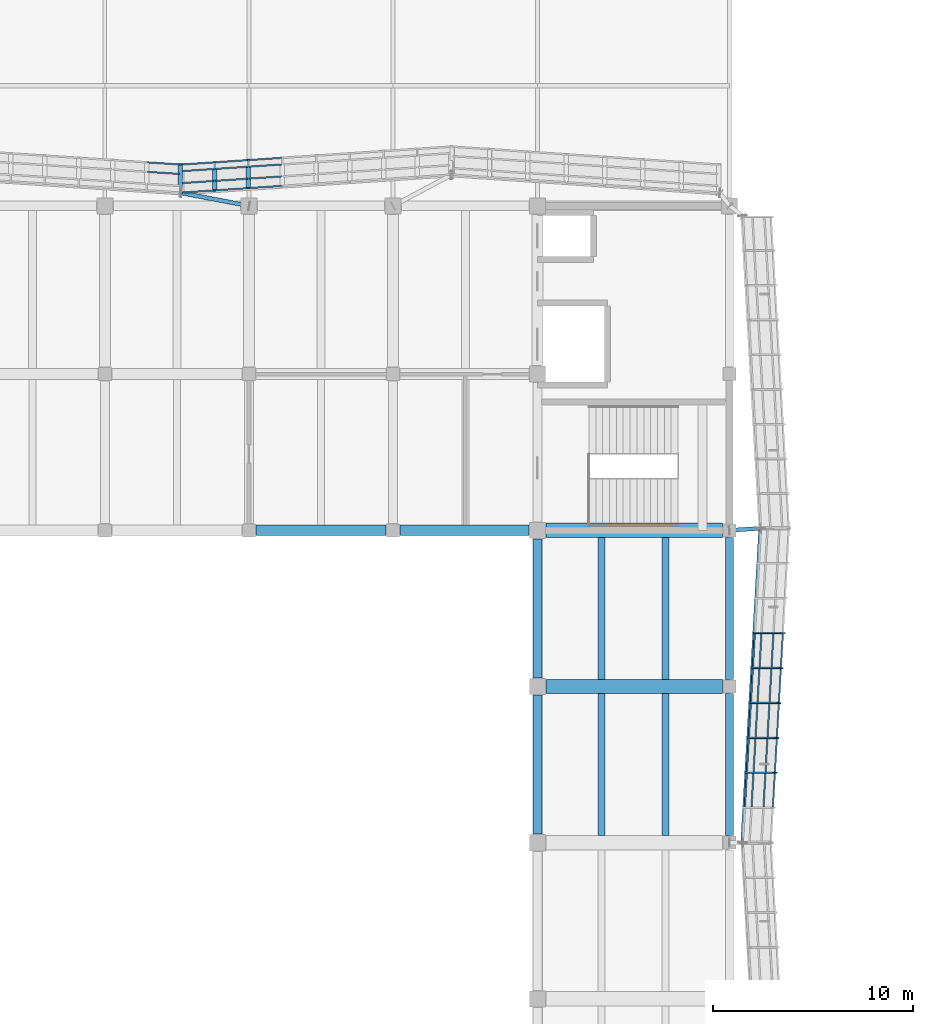
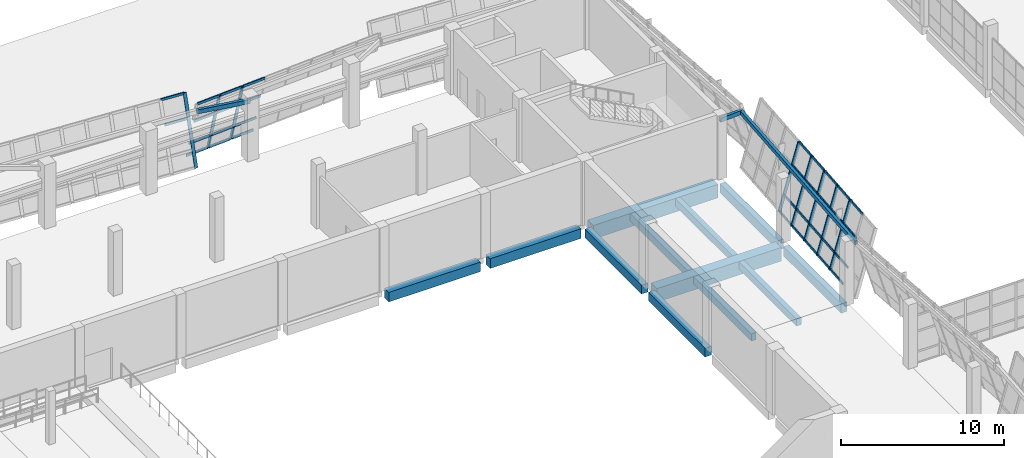
# One storey, part 28 of 79: 42 members, 15 beams, 3 elements without a shape of their own.
"""IFC4 building model written with IfcOpenShell, lengths in metres."""

from ifc_helpers import new_model, si_unit, direction, frame, origin, origin_2d, place, context, subcontext, project, spatial, rectangle, hollow_rectangle, extrude, material, material_profile, profile_set, type_object, element, aggregate, save


model = new_model("IFC4")

# Units and contexts
model_context = context("Model", 3, precision=1e-05, world=origin(), true_north=direction((0.0, 1.0)))
body_context = subcontext(model_context, "Body", "Model", "MODEL_VIEW")
ifc_project = project(units=[si_unit("LENGTHUNIT", "METRE"), si_unit("AREAUNIT", "SQUARE_METRE"), si_unit("VOLUMEUNIT", "CUBIC_METRE"), si_unit("PLANEANGLEUNIT", "RADIAN"), si_unit("MASSUNIT", "GRAM", prefix="KILO")], contexts=[model_context])

# Site, building, storey
site_placement = place(None, origin())
site = spatial("IfcSite", under=ifc_project, at=site_placement, CompositionType="ELEMENT")
building_placement = place(site_placement, origin())
building = spatial("IfcBuilding", under=site, at=building_placement, Name="Pellamere Symphony Hall", CompositionType="ELEMENT")
storey_placement = place(building_placement, frame((0.0, 0.0, 10.199951171875)))
storey = spatial("IfcBuildingStorey", under=building, at=storey_placement, Name="L02", CompositionType="ELEMENT", Elevation=10.199951171875)

# Curtain wall, members
ifc_material_1 = material(Name="Thermally Broken Anodised Aluminium 6063-T6 Curtain Wall", Category="aluminium")
curtain_wall_type = type_object("IfcCurtainWallType", Name="Curtain Wall CW-01 (Tilted Faceted Crystal Low-Iron Curtain Wall)", PredefinedType="NOTDEFINED", material=ifc_material_1)
curtain_wall_1_placement = place(storey_placement, origin())
curtain_wall_1 = element("IfcCurtainWall", 1, at=curtain_wall_1_placement, inside=storey, type_object=curtain_wall_type, Name="Crystal Faceted Curtain Wall CW-CR08 (L02)", PredefinedType="NOTDEFINED")
ifc_material_2 = material(Name="Anodised Architectural Aluminium 6063-T6", Category="aluminium")
ifc_material_profile_1 = material_profile(ifc_material_2, hollow_rectangle(XDim=0.074951171875, YDim=0.219970703125, WallThickness=0.0048828125, at=origin_2d()), Name="ALU-M75X220X5")
ifc_profile_set_1 = profile_set([ifc_material_profile_1], Name="Anodised Architectural Aluminium 6063-T6")
member_type_1 = type_object("IfcMemberType", Name="Curtain Wall Mullion ML-01 ALU-M75X220X5", PredefinedType="MULLION", material=ifc_profile_set_1)
member_1_placement = place(storey_placement, frame((119.64990234375, 65.288818359375, 0.0), z_axis=(0.284021911736, 0.0, 0.9588177896), x_axis=(-0.054873989333, -0.99836096977, 0.016254824977)))
member_1 = element("IfcMember", 2, at=member_1_placement, type_object=member_type_1, Name="CW1-014 crystal mullion 3", PredefinedType="MULLION", context=body_context, shape_type="SweptSolid", body=[
    extrude(hollow_rectangle(XDim=0.074951171875, YDim=0.219970703125, WallThickness=0.0048828125, at=origin_2d()), origin(), (0.0, 0.0, 1.0), 5.006103515625),
])
member_2_placement = place(storey_placement, frame((119.75, 67.033447265625, 0.0), z_axis=(0.284021911736, 0.0, 0.9588177896), x_axis=(-0.054873989333, -0.99836096977, 0.016254824977)))
member_2 = element("IfcMember", 3, at=member_2_placement, type_object=member_type_1, Name="CW1-014 crystal mullion 4", PredefinedType="MULLION", context=body_context, shape_type="SweptSolid", body=[
    extrude(hollow_rectangle(XDim=0.074951171875, YDim=0.219970703125, WallThickness=0.0048828125, at=origin_2d()), origin(), (0.0, 0.0, 1.0), 5.006103515625),
])
member_3_placement = place(storey_placement, frame((119.85009765625, 68.77783203125, 0.0), z_axis=(0.283977077304, 0.0, 0.958831069358), x_axis=(-0.054874749346, -0.99836096977, 0.016252259063)))
member_3 = element("IfcMember", 4, at=member_3_placement, type_object=member_type_1, Name="CW1-014 crystal mullion 5", PredefinedType="MULLION", context=body_context, shape_type="SweptSolid", body=[
    extrude(hollow_rectangle(XDim=0.074951171875, YDim=0.219970703125, WallThickness=0.0048828125, at=origin_2d()), origin(), (0.0, 0.0, 1.0), 5.006103515625),
])
member_4_placement = place(storey_placement, frame((119.949951171875, 70.522216796875, 0.0), z_axis=(0.284021911736, 0.0, 0.9588177896), x_axis=(-0.054873989333, -0.99836096977, 0.016254824977)))
member_4 = element("IfcMember", 5, at=member_4_placement, type_object=member_type_1, Name="CW1-014 crystal mullion 6", PredefinedType="MULLION", context=body_context, shape_type="SweptSolid", body=[
    extrude(hollow_rectangle(XDim=0.074951171875, YDim=0.219970703125, WallThickness=0.0048828125, at=origin_2d()), origin(), (0.0, 0.0, 1.0), 5.006103515625),
])
member_5_placement = place(storey_placement, frame((120.050048828125, 72.2666015625, 0.0), z_axis=(0.283977077304, 0.0, 0.958831069358), x_axis=(-0.054874749346, -0.99836096977, 0.016252259063)))
member_5 = element("IfcMember", 6, at=member_5_placement, type_object=member_type_1, Name="CW1-014 crystal mullion 7", PredefinedType="MULLION", context=body_context, shape_type="SweptSolid", body=[
    extrude(hollow_rectangle(XDim=0.074951171875, YDim=0.219970703125, WallThickness=0.0048828125, at=origin_2d()), origin(), (0.0, 0.0, 1.0), 5.006103515625),
])

curtain_wall_2_placement = place(storey_placement, origin())
curtain_wall_2 = element("IfcCurtainWall", 7, at=curtain_wall_2_placement, inside=storey, type_object=curtain_wall_type, Name="Crystal Faceted Curtain Wall CW-CR11 (L02)", PredefinedType="NOTDEFINED")
member_6_placement = place(storey_placement, frame((94.77490234375, 95.896728515625, 0.0), z_axis=(0.0, -0.283977077304, 0.958831069358), x_axis=(0.066519010519, -0.956707409897, -0.283348112905)))
member_6 = element("IfcMember", 8, at=member_6_placement, type_object=member_type_1, Name="CW1-025 crystal mullion 7", PredefinedType="MULLION", context=body_context, shape_type="SweptSolid", body=[
    extrude(hollow_rectangle(XDim=0.074951171875, YDim=0.219970703125, WallThickness=0.0048828125, at=origin_2d()), origin(), (0.0, 0.0, 1.0), 5.006103515625),
])
member_7_placement = place(storey_placement, frame((93.08740234375, 95.7841796875, 0.0), z_axis=(0.0, -0.283977077304, 0.958831069358), x_axis=(0.066519010519, -0.956707409897, -0.283348112905)))
member_7 = element("IfcMember", 9, at=member_7_placement, type_object=member_type_1, Name="CW1-025 crystal mullion 8", PredefinedType="MULLION", context=body_context, shape_type="SweptSolid", body=[
    extrude(hollow_rectangle(XDim=0.074951171875, YDim=0.219970703125, WallThickness=0.0048828125, at=origin_2d()), origin(), (0.0, 0.0, 1.0), 5.006103515625),
])

# Curtain wall, member
curtain_wall_3_placement = place(storey_placement, origin())
curtain_wall_3 = element("IfcCurtainWall", 10, at=curtain_wall_3_placement, inside=storey, type_object=curtain_wall_type, Name="Crystal Faceted Curtain Wall CW-CR12 (L02)", PredefinedType="NOTDEFINED")
member_8_placement = place(storey_placement, frame((91.362548828125, 94.25244140625, 0.0), z_axis=(0.0, 0.284021911736, 0.9588177896), x_axis=(0.066032040643, 0.956725172802, -0.28340203481)))
member_8 = element("IfcMember", 11, at=member_8_placement, type_object=member_type_1, Name="CW1-028 crystal mullion 1", PredefinedType="MULLION", context=body_context, shape_type="SweptSolid", body=[
    extrude(hollow_rectangle(XDim=0.074951171875, YDim=0.219970703125, WallThickness=0.0048828125, at=origin_2d()), origin(), (0.0, 0.0, 1.0), 5.006103515625),
])

# Member
ifc_material_profile_2 = material_profile(ifc_material_2, hollow_rectangle(XDim=0.074951171875, YDim=0.179931640625, WallThickness=0.0048828125, at=origin_2d()), Name="ALU-T75X180X5")
ifc_profile_set_2 = profile_set([ifc_material_profile_2], Name="Anodised Architectural Aluminium 6063-T6")
member_type_2 = type_object("IfcMemberType", Name="Curtain Wall Transom TR-01 ALU-T75X180X5", PredefinedType="USERDEFINED", material=ifc_profile_set_2)
member_9_placement = place(storey_placement, frame((119.562744140625, 63.581787109375, 0.035888671875), z_axis=(0.057224396245, 0.998361341637, 0.0), x_axis=(-0.998361341637, 0.057224396245, 0.0)))
member_9 = element("IfcMember", 12, at=member_9_placement, type_object=member_type_2, Name="CW1-014 crystal transom 2.1", ObjectType="TRANSOM", PredefinedType="USERDEFINED", context=body_context, shape_type="SweptSolid", body=[
    extrude(hollow_rectangle(XDim=0.074951171875, YDim=0.179931640625, WallThickness=0.0048828125, at=origin_2d()), origin(), (0.0, 0.0, 1.0), 1.67236328125),
])

member_10_placement = place(storey_placement, frame((119.893310546875, 63.581787109375, 1.152099609375), z_axis=(0.057224396245, 0.998361341637, 0.0), x_axis=(-0.998361341637, 0.057224396245, 0.0)))
member_10 = element("IfcMember", 13, at=member_10_placement, type_object=member_type_2, Name="CW1-014 crystal transom 2.2", ObjectType="TRANSOM", PredefinedType="USERDEFINED", context=body_context, shape_type="SweptSolid", body=[
    extrude(hollow_rectangle(XDim=0.074951171875, YDim=0.179931640625, WallThickness=0.0048828125, at=origin_2d()), origin(), (0.0, 0.0, 1.0), 1.67236328125),
])

member_11_placement = place(storey_placement, frame((120.490478515625, 63.581787109375, 3.16796875), z_axis=(0.057224396245, 0.998361341637, 0.0), x_axis=(-0.998361341637, 0.057224396245, 0.0)))
member_11 = element("IfcMember", 14, at=member_11_placement, type_object=member_type_2, Name="CW1-014 crystal transom 2.3", ObjectType="TRANSOM", PredefinedType="USERDEFINED", context=body_context, shape_type="SweptSolid", body=[
    extrude(hollow_rectangle(XDim=0.074951171875, YDim=0.179931640625, WallThickness=0.0048828125, at=origin_2d()), origin(), (0.0, 0.0, 1.0), 1.67236328125),
])

member_12_placement = place(storey_placement, frame((120.96337890625, 63.581787109375, 4.76416015625), z_axis=(0.057224396245, 0.998361341637, 0.0), x_axis=(-0.998361341637, 0.057224396245, 0.0)))
member_12 = element("IfcMember", 15, at=member_12_placement, type_object=member_type_2, Name="CW1-014 crystal transom 2.4", ObjectType="TRANSOM", PredefinedType="USERDEFINED", context=body_context, shape_type="SweptSolid", body=[
    extrude(hollow_rectangle(XDim=0.074951171875, YDim=0.179931640625, WallThickness=0.0048828125, at=origin_2d()), origin(), (0.0, 0.0, 1.0), 1.67236328125),
])

member_13_placement = place(storey_placement, frame((119.662841796875, 65.326416015625, 0.035888671875), z_axis=(0.057232737422, 0.998360863499, 0.0), x_axis=(-0.998360863499, 0.057232737422, 0.0)))
member_13 = element("IfcMember", 16, at=member_13_placement, type_object=member_type_2, Name="CW1-014 crystal transom 3.1", ObjectType="TRANSOM", PredefinedType="USERDEFINED", context=body_context, shape_type="SweptSolid", body=[
    extrude(hollow_rectangle(XDim=0.074951171875, YDim=0.179931640625, WallThickness=0.0048828125, at=origin_2d()), origin(), (0.0, 0.0, 1.0), 1.672119140625),
])

member_14_placement = place(storey_placement, frame((119.993408203125, 65.326416015625, 1.152099609375), z_axis=(0.057232737422, 0.998360863499, 0.0), x_axis=(-0.998360863499, 0.057232737422, 0.0)))
member_14 = element("IfcMember", 17, at=member_14_placement, type_object=member_type_2, Name="CW1-014 crystal transom 3.2", ObjectType="TRANSOM", PredefinedType="USERDEFINED", context=body_context, shape_type="SweptSolid", body=[
    extrude(hollow_rectangle(XDim=0.074951171875, YDim=0.179931640625, WallThickness=0.0048828125, at=origin_2d()), origin(), (0.0, 0.0, 1.0), 1.672119140625),
])

member_15_placement = place(storey_placement, frame((120.590576171875, 65.326416015625, 3.16796875), z_axis=(0.057232737422, 0.998360863499, 0.0), x_axis=(-0.998360863499, 0.057232737422, 0.0)))
member_15 = element("IfcMember", 18, at=member_15_placement, type_object=member_type_2, Name="CW1-014 crystal transom 3.3", ObjectType="TRANSOM", PredefinedType="USERDEFINED", context=body_context, shape_type="SweptSolid", body=[
    extrude(hollow_rectangle(XDim=0.074951171875, YDim=0.179931640625, WallThickness=0.0048828125, at=origin_2d()), origin(), (0.0, 0.0, 1.0), 1.672119140625),
])

member_16_placement = place(storey_placement, frame((121.063232421875, 65.326416015625, 4.76416015625), z_axis=(0.057232737422, 0.998360863499, 0.0), x_axis=(-0.998360863499, 0.057232737422, 0.0)))
member_16 = element("IfcMember", 19, at=member_16_placement, type_object=member_type_2, Name="CW1-014 crystal transom 3.4", ObjectType="TRANSOM", PredefinedType="USERDEFINED", context=body_context, shape_type="SweptSolid", body=[
    extrude(hollow_rectangle(XDim=0.074951171875, YDim=0.179931640625, WallThickness=0.0048828125, at=origin_2d()), origin(), (0.0, 0.0, 1.0), 1.672119140625),
])

member_17_placement = place(storey_placement, frame((119.7626953125, 67.07080078125, 0.035888671875), z_axis=(0.057232737422, 0.998360863499, 0.0), x_axis=(-0.998360863499, 0.057232737422, 0.0)))
member_17 = element("IfcMember", 20, at=member_17_placement, type_object=member_type_2, Name="CW1-014 crystal transom 4.1", ObjectType="TRANSOM", PredefinedType="USERDEFINED", context=body_context, shape_type="SweptSolid", body=[
    extrude(hollow_rectangle(XDim=0.074951171875, YDim=0.179931640625, WallThickness=0.0048828125, at=origin_2d()), origin(), (0.0, 0.0, 1.0), 1.672119140625),
])

member_18_placement = place(storey_placement, frame((120.09326171875, 67.07080078125, 1.152099609375), z_axis=(0.057232737422, 0.998360863499, 0.0), x_axis=(-0.998360863499, 0.057232737422, 0.0)))
member_18 = element("IfcMember", 21, at=member_18_placement, type_object=member_type_2, Name="CW1-014 crystal transom 4.2", ObjectType="TRANSOM", PredefinedType="USERDEFINED", context=body_context, shape_type="SweptSolid", body=[
    extrude(hollow_rectangle(XDim=0.074951171875, YDim=0.179931640625, WallThickness=0.0048828125, at=origin_2d()), origin(), (0.0, 0.0, 1.0), 1.672119140625),
])

member_19_placement = place(storey_placement, frame((120.6904296875, 67.07080078125, 3.16796875), z_axis=(0.057232737422, 0.998360863499, 0.0), x_axis=(-0.998360863499, 0.057232737422, 0.0)))
member_19 = element("IfcMember", 22, at=member_19_placement, type_object=member_type_2, Name="CW1-014 crystal transom 4.3", ObjectType="TRANSOM", PredefinedType="USERDEFINED", context=body_context, shape_type="SweptSolid", body=[
    extrude(hollow_rectangle(XDim=0.074951171875, YDim=0.179931640625, WallThickness=0.0048828125, at=origin_2d()), origin(), (0.0, 0.0, 1.0), 1.672119140625),
])

member_20_placement = place(storey_placement, frame((121.163330078125, 67.07080078125, 4.76416015625), z_axis=(0.057232737422, 0.998360863499, 0.0), x_axis=(-0.998360863499, 0.057232737422, 0.0)))
member_20 = element("IfcMember", 23, at=member_20_placement, type_object=member_type_2, Name="CW1-014 crystal transom 4.4", ObjectType="TRANSOM", PredefinedType="USERDEFINED", context=body_context, shape_type="SweptSolid", body=[
    extrude(hollow_rectangle(XDim=0.074951171875, YDim=0.179931640625, WallThickness=0.0048828125, at=origin_2d()), origin(), (0.0, 0.0, 1.0), 1.672119140625),
])

member_21_placement = place(storey_placement, frame((119.86279296875, 68.815185546875, 0.035888671875), z_axis=(0.057224396245, 0.998361341637, 0.0), x_axis=(-0.998361341637, 0.057224396245, 0.0)))
member_21 = element("IfcMember", 24, at=member_21_placement, type_object=member_type_2, Name="CW1-014 crystal transom 5.1", ObjectType="TRANSOM", PredefinedType="USERDEFINED", context=body_context, shape_type="SweptSolid", body=[
    extrude(hollow_rectangle(XDim=0.074951171875, YDim=0.179931640625, WallThickness=0.0048828125, at=origin_2d()), origin(), (0.0, 0.0, 1.0), 1.67236328125),
])

member_22_placement = place(storey_placement, frame((120.193359375, 68.815185546875, 1.152099609375), z_axis=(0.057224396245, 0.998361341637, 0.0), x_axis=(-0.998361341637, 0.057224396245, 0.0)))
member_22 = element("IfcMember", 25, at=member_22_placement, type_object=member_type_2, Name="CW1-014 crystal transom 5.2", ObjectType="TRANSOM", PredefinedType="USERDEFINED", context=body_context, shape_type="SweptSolid", body=[
    extrude(hollow_rectangle(XDim=0.074951171875, YDim=0.179931640625, WallThickness=0.0048828125, at=origin_2d()), origin(), (0.0, 0.0, 1.0), 1.67236328125),
])

member_23_placement = place(storey_placement, frame((120.79052734375, 68.815185546875, 3.16796875), z_axis=(0.057224396245, 0.998361341637, 0.0), x_axis=(-0.998361341637, 0.057224396245, 0.0)))
member_23 = element("IfcMember", 26, at=member_23_placement, type_object=member_type_2, Name="CW1-014 crystal transom 5.3", ObjectType="TRANSOM", PredefinedType="USERDEFINED", context=body_context, shape_type="SweptSolid", body=[
    extrude(hollow_rectangle(XDim=0.074951171875, YDim=0.179931640625, WallThickness=0.0048828125, at=origin_2d()), origin(), (0.0, 0.0, 1.0), 1.67236328125),
])

member_24_placement = place(storey_placement, frame((121.26318359375, 68.815185546875, 4.76416015625), z_axis=(0.057224396245, 0.998361341637, 0.0), x_axis=(-0.998361341637, 0.057224396245, 0.0)))
member_24 = element("IfcMember", 27, at=member_24_placement, type_object=member_type_2, Name="CW1-014 crystal transom 5.4", ObjectType="TRANSOM", PredefinedType="USERDEFINED", context=body_context, shape_type="SweptSolid", body=[
    extrude(hollow_rectangle(XDim=0.074951171875, YDim=0.179931640625, WallThickness=0.0048828125, at=origin_2d()), origin(), (0.0, 0.0, 1.0), 1.67236328125),
])

member_25_placement = place(storey_placement, frame((119.962890625, 70.5595703125, 0.035888671875), z_axis=(0.057224396245, 0.998361341637, 0.0), x_axis=(-0.998361341637, 0.057224396245, 0.0)))
member_25 = element("IfcMember", 28, at=member_25_placement, type_object=member_type_2, Name="CW1-014 crystal transom 6.1", ObjectType="TRANSOM", PredefinedType="USERDEFINED", context=body_context, shape_type="SweptSolid", body=[
    extrude(hollow_rectangle(XDim=0.074951171875, YDim=0.179931640625, WallThickness=0.0048828125, at=origin_2d()), origin(), (0.0, 0.0, 1.0), 1.67236328125),
])

member_26_placement = place(storey_placement, frame((120.29345703125, 70.5595703125, 1.152099609375), z_axis=(0.057224396245, 0.998361341637, 0.0), x_axis=(-0.998361341637, 0.057224396245, 0.0)))
member_26 = element("IfcMember", 29, at=member_26_placement, type_object=member_type_2, Name="CW1-014 crystal transom 6.2", ObjectType="TRANSOM", PredefinedType="USERDEFINED", context=body_context, shape_type="SweptSolid", body=[
    extrude(hollow_rectangle(XDim=0.074951171875, YDim=0.179931640625, WallThickness=0.0048828125, at=origin_2d()), origin(), (0.0, 0.0, 1.0), 1.67236328125),
])

member_27_placement = place(storey_placement, frame((120.890625, 70.5595703125, 3.16796875), z_axis=(0.057224396245, 0.998361341637, 0.0), x_axis=(-0.998361341637, 0.057224396245, 0.0)))
member_27 = element("IfcMember", 30, at=member_27_placement, type_object=member_type_2, Name="CW1-014 crystal transom 6.3", ObjectType="TRANSOM", PredefinedType="USERDEFINED", context=body_context, shape_type="SweptSolid", body=[
    extrude(hollow_rectangle(XDim=0.074951171875, YDim=0.179931640625, WallThickness=0.0048828125, at=origin_2d()), origin(), (0.0, 0.0, 1.0), 1.67236328125),
])

member_28_placement = place(storey_placement, frame((121.36328125, 70.5595703125, 4.76416015625), z_axis=(0.057224396245, 0.998361341637, 0.0), x_axis=(-0.998361341637, 0.057224396245, 0.0)))
member_28 = element("IfcMember", 31, at=member_28_placement, type_object=member_type_2, Name="CW1-014 crystal transom 6.4", ObjectType="TRANSOM", PredefinedType="USERDEFINED", context=body_context, shape_type="SweptSolid", body=[
    extrude(hollow_rectangle(XDim=0.074951171875, YDim=0.179931640625, WallThickness=0.0048828125, at=origin_2d()), origin(), (0.0, 0.0, 1.0), 1.67236328125),
])

aggregate(curtain_wall_1, [member_1, member_2, member_3, member_4, member_5, member_9, member_10, member_11, member_12, member_13, member_14, member_15, member_16, member_17, member_18, member_19, member_20, member_21, member_22, member_23, member_24, member_25, member_26, member_27, member_28])

member_29_placement = place(storey_placement, frame((96.425048828125, 95.99609375, 0.035888671875), z_axis=(-0.997788498757, -0.06646887804, 0.0), x_axis=(0.06646887804, -0.997788498757, 0.0)))
member_29 = element("IfcMember", 32, at=member_29_placement, type_object=member_type_2, Name="CW1-025 crystal transom 6.1", ObjectType="TRANSOM", PredefinedType="USERDEFINED", context=body_context, shape_type="SweptSolid", body=[
    extrude(hollow_rectangle(XDim=0.074951171875, YDim=0.179931640625, WallThickness=0.0048828125, at=origin_2d()), origin(), (0.0, 0.0, 1.0), 1.6162109375),
])

member_30_placement = place(storey_placement, frame((96.425048828125, 95.66552734375, 1.152099609375), z_axis=(-0.997788498757, -0.06646887804, 0.0), x_axis=(0.06646887804, -0.997788498757, 0.0)))
member_30 = element("IfcMember", 33, at=member_30_placement, type_object=member_type_2, Name="CW1-025 crystal transom 6.2", ObjectType="TRANSOM", PredefinedType="USERDEFINED", context=body_context, shape_type="SweptSolid", body=[
    extrude(hollow_rectangle(XDim=0.074951171875, YDim=0.179931640625, WallThickness=0.0048828125, at=origin_2d()), origin(), (0.0, 0.0, 1.0), 1.6162109375),
])

member_31_placement = place(storey_placement, frame((96.425048828125, 95.068359375, 3.16796875), z_axis=(-0.997788498757, -0.06646887804, 0.0), x_axis=(0.06646887804, -0.997788498757, 0.0)))
member_31 = element("IfcMember", 34, at=member_31_placement, type_object=member_type_2, Name="CW1-025 crystal transom 6.3", ObjectType="TRANSOM", PredefinedType="USERDEFINED", context=body_context, shape_type="SweptSolid", body=[
    extrude(hollow_rectangle(XDim=0.074951171875, YDim=0.179931640625, WallThickness=0.0048828125, at=origin_2d()), origin(), (0.0, 0.0, 1.0), 1.6162109375),
])

member_32_placement = place(storey_placement, frame((96.425048828125, 94.595703125, 4.76416015625), z_axis=(-0.997778468566, -0.06661927398, 0.0), x_axis=(0.06661927398, -0.997778468566, 0.0)))
member_32 = element("IfcMember", 35, at=member_32_placement, type_object=member_type_2, Name="CW1-025 crystal transom 6.4", ObjectType="TRANSOM", PredefinedType="USERDEFINED", context=body_context, shape_type="SweptSolid", body=[
    extrude(hollow_rectangle(XDim=0.074951171875, YDim=0.179931640625, WallThickness=0.0048828125, at=origin_2d()), origin(), (0.0, 0.0, 1.0), 1.6162109375),
])

member_33_placement = place(storey_placement, frame((94.737548828125, 95.883544921875, 0.035888671875), z_axis=(-0.997788498757, -0.06646887804, 0.0), x_axis=(0.06646887804, -0.997788498757, 0.0)))
member_33 = element("IfcMember", 36, at=member_33_placement, type_object=member_type_2, Name="CW1-025 crystal transom 7.1", ObjectType="TRANSOM", PredefinedType="USERDEFINED", context=body_context, shape_type="SweptSolid", body=[
    extrude(hollow_rectangle(XDim=0.074951171875, YDim=0.179931640625, WallThickness=0.0048828125, at=origin_2d()), origin(), (0.0, 0.0, 1.0), 1.6162109375),
])

member_34_placement = place(storey_placement, frame((94.737548828125, 95.552978515625, 1.152099609375), z_axis=(-0.997788498757, -0.06646887804, 0.0), x_axis=(0.06646887804, -0.997788498757, 0.0)))
member_34 = element("IfcMember", 37, at=member_34_placement, type_object=member_type_2, Name="CW1-025 crystal transom 7.2", ObjectType="TRANSOM", PredefinedType="USERDEFINED", context=body_context, shape_type="SweptSolid", body=[
    extrude(hollow_rectangle(XDim=0.074951171875, YDim=0.179931640625, WallThickness=0.0048828125, at=origin_2d()), origin(), (0.0, 0.0, 1.0), 1.6162109375),
])

member_35_placement = place(storey_placement, frame((94.737548828125, 94.955810546875, 3.16796875), z_axis=(-0.997788498757, -0.06646887804, 0.0), x_axis=(0.06646887804, -0.997788498757, 0.0)))
member_35 = element("IfcMember", 38, at=member_35_placement, type_object=member_type_2, Name="CW1-025 crystal transom 7.3", ObjectType="TRANSOM", PredefinedType="USERDEFINED", context=body_context, shape_type="SweptSolid", body=[
    extrude(hollow_rectangle(XDim=0.074951171875, YDim=0.179931640625, WallThickness=0.0048828125, at=origin_2d()), origin(), (0.0, 0.0, 1.0), 1.6162109375),
])

member_36_placement = place(storey_placement, frame((94.737548828125, 94.483154296875, 4.76416015625), z_axis=(-0.997788498757, -0.06646887804, 0.0), x_axis=(0.06646887804, -0.997788498757, 0.0)))
member_36 = element("IfcMember", 39, at=member_36_placement, type_object=member_type_2, Name="CW1-025 crystal transom 7.4", ObjectType="TRANSOM", PredefinedType="USERDEFINED", context=body_context, shape_type="SweptSolid", body=[
    extrude(hollow_rectangle(XDim=0.074951171875, YDim=0.179931640625, WallThickness=0.0048828125, at=origin_2d()), origin(), (0.0, 0.0, 1.0), 1.6162109375),
])

member_37_placement = place(storey_placement, frame((93.050048828125, 95.771240234375, 0.035888671875), z_axis=(-0.997786526209, -0.066498482063, 0.0), x_axis=(0.066498482063, -0.997786526209, 0.0)))
member_37 = element("IfcMember", 40, at=member_37_placement, type_object=member_type_2, Name="CW1-025 crystal transom 8.1", ObjectType="TRANSOM", PredefinedType="USERDEFINED", context=body_context, shape_type="SweptSolid", body=[
    extrude(hollow_rectangle(XDim=0.074951171875, YDim=0.179931640625, WallThickness=0.0048828125, at=origin_2d()), origin(), (0.0, 0.0, 1.0), 1.57861328125),
])

member_38_placement = place(storey_placement, frame((93.050048828125, 95.440673828125, 1.152099609375), z_axis=(-0.997776253366, -0.06665244346, 0.0), x_axis=(0.06665244346, -0.997776253366, 0.0)))
member_38 = element("IfcMember", 41, at=member_38_placement, type_object=member_type_2, Name="CW1-025 crystal transom 8.2", ObjectType="TRANSOM", PredefinedType="USERDEFINED", context=body_context, shape_type="SweptSolid", body=[
    extrude(hollow_rectangle(XDim=0.074951171875, YDim=0.179931640625, WallThickness=0.0048828125, at=origin_2d()), origin(), (0.0, 0.0, 1.0), 1.57861328125),
])

member_39_placement = place(storey_placement, frame((93.050048828125, 94.843505859375, 3.16796875), z_axis=(-0.997776253366, -0.06665244346, 0.0), x_axis=(0.06665244346, -0.997776253366, 0.0)))
member_39 = element("IfcMember", 42, at=member_39_placement, type_object=member_type_2, Name="CW1-025 crystal transom 8.3", ObjectType="TRANSOM", PredefinedType="USERDEFINED", context=body_context, shape_type="SweptSolid", body=[
    extrude(hollow_rectangle(XDim=0.074951171875, YDim=0.179931640625, WallThickness=0.0048828125, at=origin_2d()), origin(), (0.0, 0.0, 1.0), 1.57861328125),
])

member_40_placement = place(storey_placement, frame((93.050048828125, 94.37060546875, 4.76416015625), z_axis=(-0.997786526209, -0.066498482063, 0.0), x_axis=(0.066498482063, -0.997786526209, 0.0)))
member_40 = element("IfcMember", 43, at=member_40_placement, type_object=member_type_2, Name="CW1-025 crystal transom 8.4", ObjectType="TRANSOM", PredefinedType="USERDEFINED", context=body_context, shape_type="SweptSolid", body=[
    extrude(hollow_rectangle(XDim=0.074951171875, YDim=0.179931640625, WallThickness=0.0048828125, at=origin_2d()), origin(), (0.0, 0.0, 1.0), 1.57861328125),
])

aggregate(curtain_wall_2, [member_6, member_7, member_29, member_30, member_31, member_32, member_33, member_34, member_35, member_36, member_37, member_38, member_39, member_40])

member_41_placement = place(storey_placement, frame((91.3251953125, 95.193359375, 3.16796875), z_axis=(-0.997821663418, 0.065969144414, 0.0), x_axis=(-0.065969144414, -0.997821663418, 0.0)))
member_41 = element("IfcMember", 44, at=member_41_placement, type_object=member_type_2, Name="CW1-028 crystal transom 1.3", ObjectType="TRANSOM", PredefinedType="USERDEFINED", context=body_context, shape_type="SweptSolid", body=[
    extrude(hollow_rectangle(XDim=0.074951171875, YDim=0.179931640625, WallThickness=0.0048828125, at=origin_2d()), origin(), (0.0, 0.0, 1.0), 1.59130859375),
])

member_42_placement = place(storey_placement, frame((91.3251953125, 95.666015625, 4.76416015625), z_axis=(-0.997811553112, 0.06612189105, 0.0), x_axis=(-0.06612189105, -0.997811553112, 0.0)))
member_42 = element("IfcMember", 45, at=member_42_placement, type_object=member_type_2, Name="CW1-028 crystal transom 1.4", ObjectType="TRANSOM", PredefinedType="USERDEFINED", context=body_context, shape_type="SweptSolid", body=[
    extrude(hollow_rectangle(XDim=0.074951171875, YDim=0.179931640625, WallThickness=0.0048828125, at=origin_2d()), origin(), (0.0, 0.0, 1.0), 1.59130859375),
])

aggregate(curtain_wall_3, [member_8, member_41, member_42])

# Beams
ifc_material_3 = material(Name="Concrete 40 MPa", Category="concrete")
ifc_material_profile_3 = material_profile(ifc_material_3, rectangle(XDim=0.449951171875, YDim=0.64990234375, at=origin_2d()), Name="RC 450x650")
ifc_profile_set_3 = profile_set([ifc_material_profile_3], Name="Concrete 40 MPa")
beam_type_1 = type_object("IfcBeamType", Name="RC CB-08 450x650", PredefinedType="BEAM", material=ifc_profile_set_3)
beam_1_placement = place(storey_placement, frame((109.199951171875, 62.22509765625, -0.60498046875), z_axis=(0.0, 1.0, 0.0), x_axis=(-1.0, 0.0, 0.0)))
element("IfcBeam", 46, at=beam_1_placement, inside=storey, type_object=beam_type_1, Name="Girder CB-08-Y1319 (L02)", PredefinedType="BEAM", context=body_context, shape_type="SweptSolid", body=[
    extrude(rectangle(XDim=0.449951171875, YDim=0.64990234375, at=origin_2d()), origin(), (0.0, 0.0, 1.0), 6.949951171875),
])
beam_2_placement = place(storey_placement, frame((109.199951171875, 70.02490234375, -0.60498046875), z_axis=(0.0, 1.0, 0.0), x_axis=(-1.0, 0.0, 0.0)))
element("IfcBeam", 47, at=beam_2_placement, inside=storey, type_object=beam_type_1, Name="Girder CB-08-Y1320 (L02)", PredefinedType="BEAM", context=body_context, shape_type="SweptSolid", body=[
    extrude(rectangle(XDim=0.449951171875, YDim=0.64990234375, at=origin_2d()), origin(), (0.0, 0.0, 1.0), 6.9501953125),
])
ifc_material_4 = material(Name="Concrete 35 MPa", Category="concrete")
ifc_material_profile_4 = material_profile(ifc_material_4, rectangle(XDim=0.35009765625, YDim=0.550048828125, at=origin_2d()), Name="RC 350x550")
ifc_profile_set_4 = profile_set([ifc_material_profile_4], Name="Concrete 35 MPa")
beam_type_2 = type_object("IfcBeamType", Name="RC CB-10 350x550", PredefinedType="BEAM", material=ifc_profile_set_4)
for number, where, z_axis, x_axis, name in (
    (48, (112.39990234375, 62.159912109375, -0.570068359375), (0.0, 1.0, 0.0), (-1.0, 0.0, 0.0), "Secondary Floor Beam CB-10-A1408 (L02)"),
    (49, (115.60009765625, 62.159912109375, -0.570068359375), (0.0, 1.0, 0.0), (-1.0, 0.0, 0.0), "Secondary Floor Beam CB-10-B1408 (L02)"),
    (50, (112.39990234375, 69.9599609375, -0.570068359375), (0.0, 1.0, 0.0), (-1.0, 0.0, 0.0), "Secondary Floor Beam CB-10-A1409 (L02)"),
    (51, (115.60009765625, 69.9599609375, -0.570068359375), (0.0, 1.0, 0.0), (-1.0, 0.0, 0.0), "Secondary Floor Beam CB-10-B1409 (L02)"),
):
    element("IfcBeam", number, at=place(storey_placement, frame(where, z_axis=z_axis, x_axis=x_axis)), inside=storey, type_object=beam_type_2, Name=name, PredefinedType="BEAM", context=body_context, shape_type="SweptSolid", body=[
        extrude(rectangle(XDim=0.35009765625, YDim=0.550048828125, at=origin_2d()), origin(), (0.0, 0.0, 1.0), 7.080078125),
    ])
ifc_material_profile_5 = material_profile(ifc_material_3, rectangle(XDim=0.39990234375, YDim=0.699951171875, at=origin_2d()), Name="RC 400x700")
ifc_profile_set_5 = profile_set([ifc_material_profile_5], Name="Concrete 40 MPa")
beam_type_3 = type_object("IfcBeamType", Name="RC CB-13 400x700", PredefinedType="SPANDREL", material=ifc_profile_set_5)
for number, where, z_axis, x_axis, name in (
    (52, (118.800048828125, 62.14990234375, -0.6298828125), (0.0, 1.0, 0.0), (-1.0, 0.0, 0.0), "Girder CB-13-Y1332 (L02)"),
    (53, (118.800048828125, 69.949951171875, -0.6298828125), (0.0, 1.0, 0.0), (-1.0, 0.0, 0.0), "Girder CB-13-Y1333 (L02)"),
):
    element("IfcBeam", number, at=place(storey_placement, frame(where, z_axis=z_axis, x_axis=x_axis)), inside=storey, type_object=beam_type_3, Name=name, PredefinedType="SPANDREL", context=body_context, shape_type="SweptSolid", body=[
        extrude(rectangle(XDim=0.39990234375, YDim=0.699951171875, at=origin_2d()), origin(), (0.0, 0.0, 1.0), 7.10009765625),
    ])
ifc_material_profile_6 = material_profile(ifc_material_3, rectangle(XDim=0.719970703125, YDim=1.02001953125, at=origin_2d()), Name="RC 720x1020")
ifc_profile_set_6 = profile_set([ifc_material_profile_6], Name="Concrete 40 MPa")
beam_type_4 = type_object("IfcBeamType", Name="RC CB-23 720x1020", PredefinedType="BEAM", material=ifc_profile_set_6)
for number, where, z_axis, x_axis, name in (
    (54, (109.625, 69.60009765625, -0.7900390625), (1.0, 0.0, 0.0), (0.0, 1.0, 0.0), "Girder CB-23-X1149 (L02)"),
    (55, (109.625, 77.39990234375, -0.7900390625), (1.0, 0.0, 0.0), (0.0, 1.0, 0.0), "Girder CB-23-X1162 (L02)"),
):
    element("IfcBeam", number, at=place(storey_placement, frame(where, z_axis=z_axis, x_axis=x_axis)), inside=storey, type_object=beam_type_4, Name=name, PredefinedType="BEAM", context=body_context, shape_type="SweptSolid", body=[
        extrude(rectangle(XDim=0.719970703125, YDim=1.02001953125, at=origin_2d()), origin(), (0.0, 0.0, 1.0), 8.824951171875),
    ])
ifc_material_profile_7 = material_profile(ifc_material_3, rectangle(XDim=0.5400390625, YDim=0.719970703125, at=origin_2d()), Name="RC 540x720")
ifc_profile_set_7 = profile_set([ifc_material_profile_7], Name="Concrete 40 MPa")
beam_type_5 = type_object("IfcBeamType", Name="RC CB-24 540x720", PredefinedType="BEAM", material=ifc_profile_set_7)
beam_3_placement = place(storey_placement, frame((95.14990234375, 77.39990234375, -0.639892578125), z_axis=(1.0, 0.0, 0.0), x_axis=(0.0, 1.0, 0.0)))
element("IfcBeam", 56, at=beam_3_placement, inside=storey, type_object=beam_type_5, Name="Girder CB-24-X1160 (L02)", PredefinedType="BEAM", context=body_context, shape_type="SweptSolid", body=[
    extrude(rectangle(XDim=0.5400390625, YDim=0.719970703125, at=origin_2d()), origin(), (0.0, 0.0, 1.0), 6.5),
])
beam_4_placement = place(storey_placement, frame((102.35009765625, 77.39990234375, -0.639892578125), z_axis=(1.0, 0.0, 0.0), x_axis=(0.0, 1.0, 0.0)))
element("IfcBeam", 57, at=beam_4_placement, inside=storey, type_object=beam_type_5, Name="Girder CB-24-X1161 (L02)", PredefinedType="BEAM", context=body_context, shape_type="SweptSolid", body=[
    extrude(rectangle(XDim=0.5400390625, YDim=0.719970703125, at=origin_2d()), origin(), (0.0, 0.0, 1.0), 6.4248046875),
])
ifc_material_5 = material(Name="Steel CSA G40.21 350W", Category="steel")
ifc_material_profile_8 = material_profile(ifc_material_5, hollow_rectangle(XDim=0.203125, YDim=0.3046875, WallThickness=0.0126953125, at=origin_2d()), Name="HSS305X203X13")
ifc_profile_set_8 = profile_set([ifc_material_profile_8], Name="Steel CSA G40.21 350W")
beam_type_6 = type_object("IfcBeamType", Name="Steel Spandrel SB-26 HSS305X203X13", PredefinedType="SPANDREL", material=ifc_profile_set_8)
beam_5_placement = place(storey_placement, frame((119.449951171875, 61.800048828125, 4.239990234375), z_axis=(0.057240345461, 0.998360427326, 0.0), x_axis=(-0.998360427326, 0.057240345461, 0.0)))
element("IfcBeam", 58, at=beam_5_placement, inside=storey, type_object=beam_type_6, Name="Crystal Perimeter Ring Beam CW-CR08 (L02)", PredefinedType="SPANDREL", context=body_context, shape_type="SweptSolid", body=[
    extrude(hollow_rectangle(XDim=0.203125, YDim=0.3046875, WallThickness=0.0126953125, at=origin_2d()), origin(), (0.0, 0.0, 1.0), 15.725830078125),
])
beam_6_placement = place(storey_placement, frame((118.800048828125, 77.39990234375, 4.239990234375), z_axis=(0.997921398046, 0.064442868672, 0.0), x_axis=(-0.064442868672, 0.997921398046, 0.0)))
element("IfcBeam", 59, at=beam_6_placement, inside=storey, type_object=beam_type_6, Name="Crystal Ring Outrigger Bracket 033 (L02)", PredefinedType="SPANDREL", context=body_context, shape_type="SweptSolid", body=[
    extrude(hollow_rectangle(XDim=0.203125, YDim=0.3046875, WallThickness=0.0126953125, at=origin_2d()), origin(), (0.0, 0.0, 1.0), 1.55322265625),
])
beam_7_placement = place(storey_placement, frame((94.800048828125, 93.60009765625, 4.239990234375), z_axis=(-0.982218609551, 0.187740786862, 0.0), x_axis=(-0.187740786862, -0.982218609551, 0.0)))
element("IfcBeam", 60, at=beam_7_placement, inside=storey, type_object=beam_type_6, Name="Crystal Ring Outrigger Bracket 058 (L02)", PredefinedType="SPANDREL", context=body_context, shape_type="SweptSolid", body=[
    extrude(hollow_rectangle(XDim=0.203125, YDim=0.3046875, WallThickness=0.0126953125, at=origin_2d()), origin(), (0.0, 0.0, 1.0), 3.461669921875),
])

save(model, "model.ifc")
